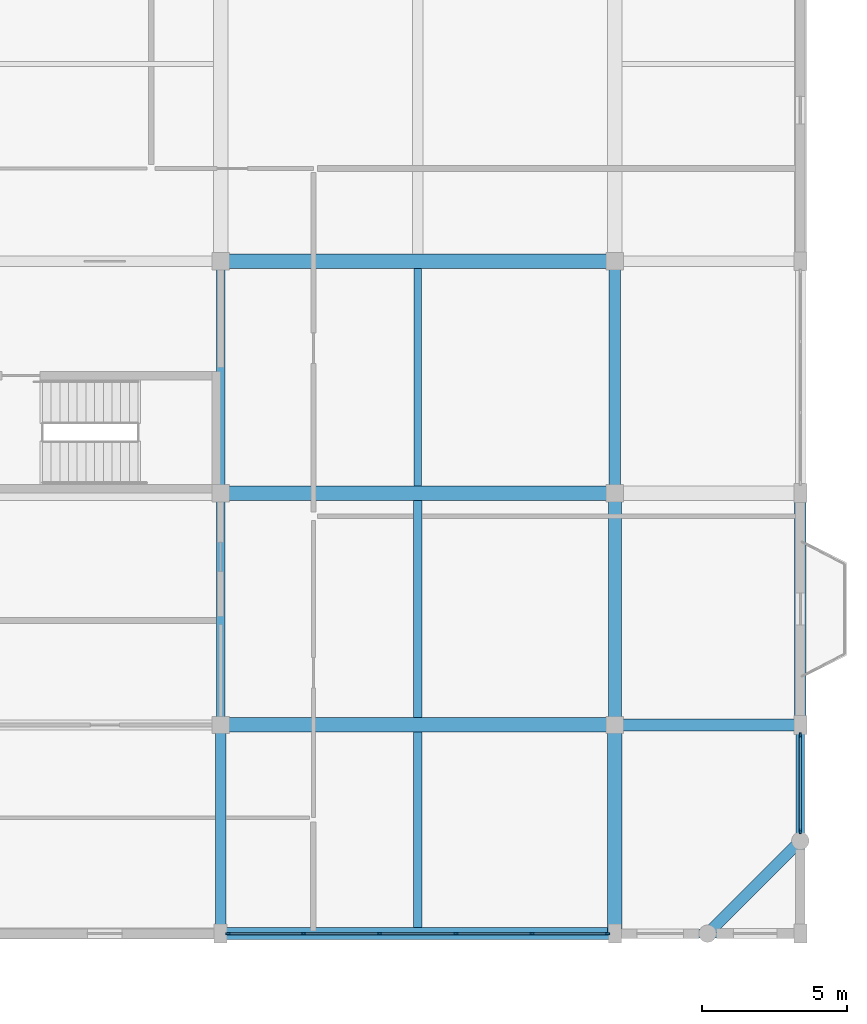
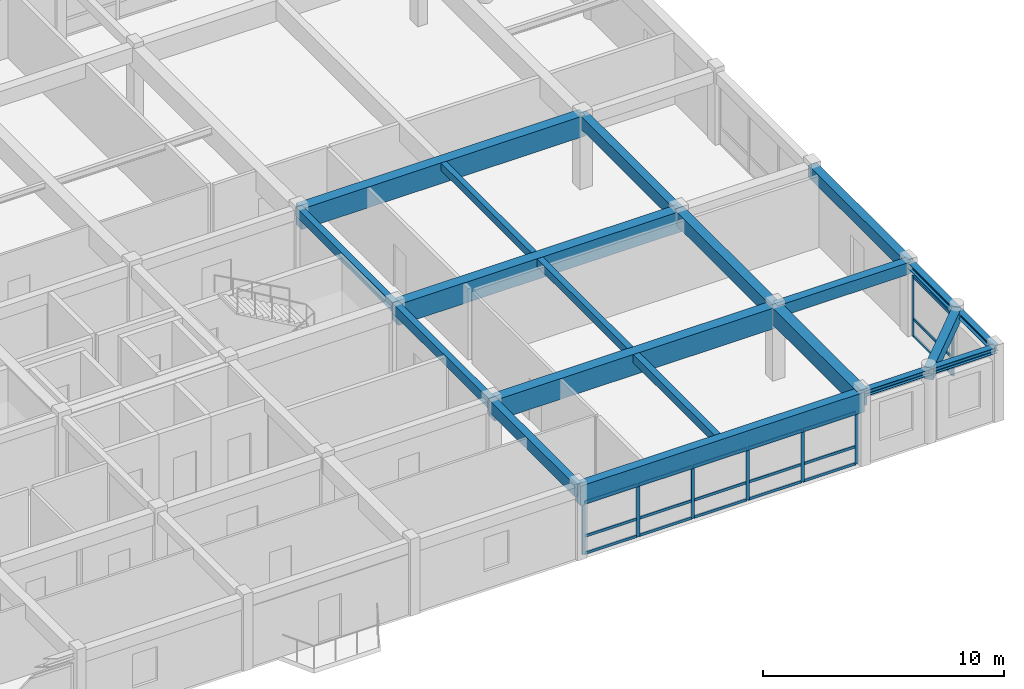
# One storey, part 5 of 13: 26 members, 18 beams, 2 elements without a shape of their own.
"""IFC4 building model written with IfcOpenShell, lengths in metres."""

from ifc_helpers import new_model, si_unit, direction, frame, origin, origin_2d, place, context, subcontext, project, spatial, rectangle, i_section, extrude, material, material_profile, profile_set, type_object, element, aggregate, save


model = new_model("IFC4")

# Units and contexts
model_context = context("Model", 3, precision=1e-05, world=origin(), true_north=direction((0.0, 1.0)))
body_context = subcontext(model_context, "Body", "Model", "MODEL_VIEW")
ifc_project = project(units=[si_unit("LENGTHUNIT", "METRE"), si_unit("AREAUNIT", "SQUARE_METRE"), si_unit("VOLUMEUNIT", "CUBIC_METRE"), si_unit("PLANEANGLEUNIT", "RADIAN"), si_unit("MASSUNIT", "GRAM", prefix="KILO")], contexts=[model_context])

# Site, building, storey
site_placement = place(None, origin())
site = spatial("IfcSite", under=ifc_project, at=site_placement, CompositionType="ELEMENT")
building_placement = place(site_placement, origin())
building = spatial("IfcBuilding", under=site, at=building_placement, Name="Vellmiral Cinema and Media Centre", CompositionType="ELEMENT")
storey_placement = place(building_placement, frame((0.0, 0.0, 54.800048828125)))
storey = spatial("IfcBuildingStorey", under=building, at=storey_placement, Name="L13", CompositionType="ELEMENT", Elevation=54.800048828125)

# Beams
ifc_material_1 = material(Name="Concrete C40/50", Category="concrete")
ifc_material_profile_1 = material_profile(ifc_material_1, rectangle(XDim=0.300048828125, YDim=0.449951171875, at=origin_2d()), Name="RC 300x450")
ifc_profile_set_1 = profile_set([ifc_material_profile_1], Name="Concrete C40/50")
beam_type_1 = type_object("IfcBeamType", Name="BM-RC-300x450", PredefinedType="BEAM", material=ifc_profile_set_1)
beam_1_placement = place(storey_placement, frame((148.0, 87.199951171875, 3.429931640625), z_axis=(0.0, 1.0, 0.0), x_axis=(-1.0, 0.0, 0.0)))
element("IfcBeam", 1, at=beam_1_placement, inside=storey, type_object=beam_type_1, Name="Grid Beam L13-Y058", PredefinedType="BEAM", context=body_context, shape_type="SweptSolid", body=[
    extrude(rectangle(XDim=0.300048828125, YDim=0.449951171875, at=origin_2d()), origin(), (0.0, 0.0, 1.0), 8.0),
])
ifc_material_2 = material(Name="Concrete C40/50", Category="concrete")
ifc_material_profile_2 = material_profile(ifc_material_2, rectangle(XDim=0.300048828125, YDim=0.5, at=origin_2d()), Name="RC 300x500")
ifc_profile_set_2 = profile_set([ifc_material_profile_2], Name="Concrete C40/50")
beam_type_2 = type_object("IfcBeamType", Name="BM-RC-300x500", PredefinedType="BEAM", material=ifc_profile_set_2)
beam_2_placement = place(storey_placement, frame((148.0, 79.199951171875, 3.405029296875), z_axis=(0.0, 1.0, 0.0), x_axis=(-1.0, 0.0, 0.0)))
element("IfcBeam", 2, at=beam_2_placement, inside=storey, type_object=beam_type_2, Name="Grid Beam L13-Y057", PredefinedType="BEAM", context=body_context, shape_type="SweptSolid", body=[
    extrude(rectangle(XDim=0.300048828125, YDim=0.5, at=origin_2d()), origin(), (0.0, 0.0, 1.0), 8.0),
])
ifc_material_3 = material(Name="Concrete C40/50", Category="concrete")
ifc_material_profile_3 = material_profile(ifc_material_3, rectangle(XDim=0.35009765625, YDim=0.60009765625, at=origin_2d()), Name="RC 350x600")
ifc_profile_set_3 = profile_set([ifc_material_profile_3], Name="Concrete C40/50")
beam_type_3 = type_object("IfcBeamType", Name="BM-RC-350x600", PredefinedType="BEAM", material=ifc_profile_set_3)
beam_3_placement = place(storey_placement, frame((148.0, 72.0, 3.35498046875), z_axis=(0.0, 1.0, 0.0), x_axis=(-1.0, 0.0, 0.0)))
element("IfcBeam", 3, at=beam_3_placement, inside=storey, type_object=beam_type_3, Name="Grid Beam L13-Y056", PredefinedType="BEAM", context=body_context, shape_type="SweptSolid", body=[
    extrude(rectangle(XDim=0.35009765625, YDim=0.60009765625, at=origin_2d()), origin(), (0.0, 0.0, 1.0), 7.199951171875),
])
ifc_material_4 = material(Name="Concrete C40/50", Category="concrete")
ifc_material_profile_4 = material_profile(ifc_material_4, rectangle(XDim=0.39990234375, YDim=0.60009765625, at=origin_2d()), Name="RC 400x600")
ifc_profile_set_4 = profile_set([ifc_material_profile_4], Name="Concrete C40/50")
beam_type_4 = type_object("IfcBeamType", Name="BM-RC-400x600", PredefinedType="BEAM", material=ifc_profile_set_4)
beam_4_placement = place(storey_placement, frame((161.60009765625, 79.199951171875, 3.35498046875), z_axis=(1.0, 0.0, 0.0), x_axis=(0.0, 1.0, 0.0)))
element("IfcBeam", 4, at=beam_4_placement, inside=storey, type_object=beam_type_4, Name="Grid Beam L13-X012", PredefinedType="BEAM", context=body_context, shape_type="SweptSolid", body=[
    extrude(rectangle(XDim=0.39990234375, YDim=0.60009765625, at=origin_2d()), origin(), (0.0, 0.0, 1.0), 6.39990234375),
])
ifc_material_5 = material(Name="Concrete C40/50", Category="concrete")
ifc_material_profile_5 = material_profile(ifc_material_5, rectangle(XDim=0.39990234375, YDim=0.64990234375, at=origin_2d()), Name="RC 400x650")
ifc_profile_set_5 = profile_set([ifc_material_profile_5], Name="Concrete C40/50")
beam_type_5 = type_object("IfcBeamType", Name="BM-RC-400x650", PredefinedType="BEAM", material=ifc_profile_set_5)
beam_5_placement = place(storey_placement, frame((161.60009765625, 87.199951171875, 3.329833984375), z_axis=(0.0, 1.0, 0.0), x_axis=(-1.0, 0.0, 0.0)))
element("IfcBeam", 5, at=beam_5_placement, inside=storey, type_object=beam_type_5, Name="Grid Beam L13-Y063", PredefinedType="BEAM", context=body_context, shape_type="SweptSolid", body=[
    extrude(rectangle(XDim=0.39990234375, YDim=0.64990234375, at=origin_2d()), origin(), (0.0, 0.0, 1.0), 8.0),
])
ifc_material_6 = material(Name="Concrete C40/50", Category="concrete")
ifc_material_profile_6 = material_profile(ifc_material_6, rectangle(XDim=0.449951171875, YDim=0.699951171875, at=origin_2d()), Name="RC 450x700")
ifc_profile_set_6 = profile_set([ifc_material_profile_6], Name="Concrete C40/50")
beam_type_6 = type_object("IfcBeamType", Name="BM-RC-450x700", PredefinedType="BEAM", material=ifc_profile_set_6)
beam_6_placement = place(storey_placement, frame((161.60009765625, 79.199951171875, 3.304931640625), z_axis=(0.0, 1.0, 0.0), x_axis=(-1.0, 0.0, 0.0)))
element("IfcBeam", 6, at=beam_6_placement, inside=storey, type_object=beam_type_6, Name="Grid Beam L13-Y062", PredefinedType="BEAM", context=body_context, shape_type="SweptSolid", body=[
    extrude(rectangle(XDim=0.449951171875, YDim=0.699951171875, at=origin_2d()), origin(), (0.0, 0.0, 1.0), 8.0),
])
ifc_material_7 = material(Name="Concrete C40/50", Category="concrete")
ifc_material_profile_7 = material_profile(ifc_material_7, rectangle(XDim=0.5, YDim=0.85009765625, at=origin_2d()), Name="RC 500x850")
ifc_profile_set_7 = profile_set([ifc_material_profile_7], Name="Concrete C40/50")
beam_type_7 = type_object("IfcBeamType", Name="BM-RC-500x850", PredefinedType="BEAM", material=ifc_profile_set_7)
beam_7_placement = place(storey_placement, frame((161.60009765625, 72.0, 3.22998046875), z_axis=(0.0, 1.0, 0.0), x_axis=(-1.0, 0.0, 0.0)))
element("IfcBeam", 7, at=beam_7_placement, inside=storey, type_object=beam_type_7, Name="Grid Beam L13-Y061", PredefinedType="BEAM", context=body_context, shape_type="SweptSolid", body=[
    extrude(rectangle(XDim=0.5, YDim=0.85009765625, at=origin_2d()), origin(), (0.0, 0.0, 1.0), 7.199951171875),
])
ifc_material_8 = material(Name="Concrete C40/50", Category="concrete")
ifc_material_profile_8 = material_profile(ifc_material_8, rectangle(XDim=0.5, YDim=1.050048828125, at=origin_2d()), Name="RC 500x1050")
ifc_profile_set_8 = profile_set([ifc_material_profile_8], Name="Concrete C40/50")
beam_type_8 = type_object("IfcBeamType", Name="BM-RCG-500x1050", PredefinedType="BEAM", material=ifc_profile_set_8)
for number, where, z_axis, x_axis, name in (
    (8, (148.0, 79.199951171875, 3.1298828125), (1.0, 0.0, 0.0), (0.0, 1.0, 0.0), "Grid Beam L13-X011"),
    (9, (148.0, 87.199951171875, 3.1298828125), (1.0, 0.0, 0.0), (0.0, 1.0, 0.0), "Grid Beam L13-X017"),
    (10, (148.0, 95.199951171875, 3.1298828125), (1.0, 0.0, 0.0), (0.0, 1.0, 0.0), "Grid Beam L13-X023"),
):
    element("IfcBeam", number, at=place(storey_placement, frame(where, z_axis=z_axis, x_axis=x_axis)), inside=storey, type_object=beam_type_8, Name=name, PredefinedType="BEAM", context=body_context, shape_type="SweptSolid", body=[
        extrude(rectangle(XDim=0.5, YDim=1.050048828125, at=origin_2d()), origin(), (0.0, 0.0, 1.0), 13.60009765625),
    ])

# Curtain wall, members
ifc_material_9 = material(Name="Thermally Broken Aluminium and Triple Glazing", Category="aluminium")
curtain_wall_type = type_object("IfcCurtainWallType", Name="CW-TOWER-MID-E", PredefinedType="USERDEFINED", material=ifc_material_9)
curtain_wall_1_placement = place(storey_placement, origin())
curtain_wall_1 = element("IfcCurtainWall", 11, at=curtain_wall_1_placement, inside=storey, type_object=curtain_wall_type, Name="Curtain Wall L13-B006", ObjectType="UNITISED CURTAIN WALL", PredefinedType="USERDEFINED")
ifc_material_10 = material(Name="Thermally Broken Anodised Aluminium", Category="aluminium")
ifc_material_profile_9 = material_profile(ifc_material_10, rectangle(XDim=0.06494140625, YDim=0.159912109375, at=origin_2d()), Name="MULL 65x160")
ifc_profile_set_9 = profile_set([ifc_material_profile_9], Name="Thermally Broken Anodised Aluminium")
member_type_1 = type_object("IfcMemberType", Name="CWM-65x160", PredefinedType="MULLION", material=ifc_profile_set_9)
member_1_placement = place(storey_placement, frame((148.257568359375, 72.0, 0.0), z_axis=(0.0, 0.0, 1.0), x_axis=(0.0, 1.0, 0.0)))
member_1 = element("IfcMember", 12, at=member_1_placement, type_object=member_type_1, Name="CW-07 mullion 1", PredefinedType="MULLION", context=body_context, shape_type="SweptSolid", body=[
    extrude(rectangle(XDim=0.06494140625, YDim=0.159912109375, at=origin_2d()), origin(), (0.0, 0.0, 1.0), 2.64501953125),
])
member_2_placement = place(storey_placement, frame((150.85498046875, 72.0, 0.0), z_axis=(0.0, 0.0, 1.0), x_axis=(0.0, 1.0, 0.0)))
member_2 = element("IfcMember", 13, at=member_2_placement, type_object=member_type_1, Name="CW-07 mullion 2", PredefinedType="MULLION", context=body_context, shape_type="SweptSolid", body=[
    extrude(rectangle(XDim=0.06494140625, YDim=0.159912109375, at=origin_2d()), origin(), (0.0, 0.0, 1.0), 2.64501953125),
])
member_3_placement = place(storey_placement, frame((153.485107421875, 72.0, 0.0), z_axis=(0.0, 0.0, 1.0), x_axis=(0.0, 1.0, 0.0)))
member_3 = element("IfcMember", 14, at=member_3_placement, type_object=member_type_1, Name="CW-07 mullion 3", PredefinedType="MULLION", context=body_context, shape_type="SweptSolid", body=[
    extrude(rectangle(XDim=0.06494140625, YDim=0.159912109375, at=origin_2d()), origin(), (0.0, 0.0, 1.0), 2.64501953125),
])
member_4_placement = place(storey_placement, frame((156.114990234375, 72.0, 0.0), z_axis=(0.0, 0.0, 1.0), x_axis=(0.0, 1.0, 0.0)))
member_4 = element("IfcMember", 15, at=member_4_placement, type_object=member_type_1, Name="CW-07 mullion 4", PredefinedType="MULLION", context=body_context, shape_type="SweptSolid", body=[
    extrude(rectangle(XDim=0.06494140625, YDim=0.159912109375, at=origin_2d()), origin(), (0.0, 0.0, 1.0), 2.64501953125),
])
member_5_placement = place(storey_placement, frame((158.7451171875, 72.0, 0.0), z_axis=(0.0, 0.0, 1.0), x_axis=(0.0, 1.0, 0.0)))
member_5 = element("IfcMember", 16, at=member_5_placement, type_object=member_type_1, Name="CW-07 mullion 5", PredefinedType="MULLION", context=body_context, shape_type="SweptSolid", body=[
    extrude(rectangle(XDim=0.06494140625, YDim=0.159912109375, at=origin_2d()), origin(), (0.0, 0.0, 1.0), 2.64501953125),
])
member_6_placement = place(storey_placement, frame((161.342529296875, 72.0, 0.0), z_axis=(0.0, 0.0, 1.0), x_axis=(0.0, 1.0, 0.0)))
member_6 = element("IfcMember", 17, at=member_6_placement, type_object=member_type_1, Name="CW-07 mullion 6", PredefinedType="MULLION", context=body_context, shape_type="SweptSolid", body=[
    extrude(rectangle(XDim=0.06494140625, YDim=0.159912109375, at=origin_2d()), origin(), (0.0, 0.0, 1.0), 2.64501953125),
])

curtain_wall_2_placement = place(storey_placement, origin())
curtain_wall_2 = element("IfcCurtainWall", 18, at=curtain_wall_2_placement, inside=storey, type_object=curtain_wall_type, Name="Curtain Wall L13-B010", ObjectType="UNITISED CURTAIN WALL", PredefinedType="USERDEFINED")
member_7_placement = place(storey_placement, frame((168.0, 75.532470703125, 0.0), z_axis=(0.0, 0.0, 1.0), x_axis=(-1.0, 0.0, 0.0)))
member_7 = element("IfcMember", 19, at=member_7_placement, type_object=member_type_1, Name="CW-07 mullion 1", PredefinedType="MULLION", context=body_context, shape_type="SweptSolid", body=[
    extrude(rectangle(XDim=0.06494140625, YDim=0.159912109375, at=origin_2d()), origin(), (0.0, 0.0, 1.0), 3.06005859375),
])
member_8_placement = place(storey_placement, frame((168.0, 78.842529296875, 0.0), z_axis=(0.0, 0.0, 1.0), x_axis=(-1.0, 0.0, 0.0)))
member_8 = element("IfcMember", 20, at=member_8_placement, type_object=member_type_1, Name="CW-07 mullion 2", PredefinedType="MULLION", context=body_context, shape_type="SweptSolid", body=[
    extrude(rectangle(XDim=0.06494140625, YDim=0.159912109375, at=origin_2d()), origin(), (0.0, 0.0, 1.0), 3.06005859375),
])

# Member
ifc_material_11 = material(Name="Thermally Broken Anodised Aluminium", Category="aluminium")
ifc_material_profile_10 = material_profile(ifc_material_11, rectangle(XDim=0.06494140625, YDim=0.135009765625, at=origin_2d()), Name="MULL 65x135")
ifc_profile_set_10 = profile_set([ifc_material_profile_10], Name="Thermally Broken Anodised Aluminium")
member_type_2 = type_object("IfcMemberType", Name="CWT-65x135", PredefinedType="USERDEFINED", material=ifc_profile_set_10)
member_9_placement = place(storey_placement, frame((148.2900390625, 72.0, 0.032470703125), z_axis=(1.0, 0.0, 0.0), x_axis=(0.0, 1.0, 0.0)))
member_9 = element("IfcMember", 21, at=member_9_placement, type_object=member_type_2, Name="CW-07 transom 1.1", ObjectType="TRANSOM", PredefinedType="USERDEFINED", context=body_context, shape_type="SweptSolid", body=[
    extrude(rectangle(XDim=0.06494140625, YDim=0.135009765625, at=origin_2d()), origin(), (0.0, 0.0, 1.0), 2.532470703125),
])

member_10_placement = place(storey_placement, frame((148.2900390625, 72.0, 0.89990234375), z_axis=(1.0, 0.0, 0.0), x_axis=(0.0, 1.0, 0.0)))
member_10 = element("IfcMember", 22, at=member_10_placement, type_object=member_type_2, Name="CW-07 transom 1.2", ObjectType="TRANSOM", PredefinedType="USERDEFINED", context=body_context, shape_type="SweptSolid", body=[
    extrude(rectangle(XDim=0.06494140625, YDim=0.135009765625, at=origin_2d()), origin(), (0.0, 0.0, 1.0), 2.532470703125),
])

member_11_placement = place(storey_placement, frame((148.2900390625, 72.0, 2.612548828125), z_axis=(1.0, 0.0, 0.0), x_axis=(0.0, 1.0, 0.0)))
member_11 = element("IfcMember", 23, at=member_11_placement, type_object=member_type_2, Name="CW-07 transom 1.3", ObjectType="TRANSOM", PredefinedType="USERDEFINED", context=body_context, shape_type="SweptSolid", body=[
    extrude(rectangle(XDim=0.06494140625, YDim=0.135009765625, at=origin_2d()), origin(), (0.0, 0.0, 1.0), 2.532470703125),
])

member_12_placement = place(storey_placement, frame((150.887451171875, 72.0, 0.032470703125), z_axis=(1.0, 0.0, 0.0), x_axis=(0.0, 1.0, 0.0)))
member_12 = element("IfcMember", 24, at=member_12_placement, type_object=member_type_2, Name="CW-07 transom 2.1", ObjectType="TRANSOM", PredefinedType="USERDEFINED", context=body_context, shape_type="SweptSolid", body=[
    extrude(rectangle(XDim=0.06494140625, YDim=0.135009765625, at=origin_2d()), origin(), (0.0, 0.0, 1.0), 2.56494140625),
])

member_13_placement = place(storey_placement, frame((150.887451171875, 72.0, 0.89990234375), z_axis=(1.0, 0.0, 0.0), x_axis=(0.0, 1.0, 0.0)))
member_13 = element("IfcMember", 25, at=member_13_placement, type_object=member_type_2, Name="CW-07 transom 2.2", ObjectType="TRANSOM", PredefinedType="USERDEFINED", context=body_context, shape_type="SweptSolid", body=[
    extrude(rectangle(XDim=0.06494140625, YDim=0.135009765625, at=origin_2d()), origin(), (0.0, 0.0, 1.0), 2.56494140625),
])

member_14_placement = place(storey_placement, frame((150.887451171875, 72.0, 2.612548828125), z_axis=(1.0, 0.0, 0.0), x_axis=(0.0, 1.0, 0.0)))
member_14 = element("IfcMember", 26, at=member_14_placement, type_object=member_type_2, Name="CW-07 transom 2.3", ObjectType="TRANSOM", PredefinedType="USERDEFINED", context=body_context, shape_type="SweptSolid", body=[
    extrude(rectangle(XDim=0.06494140625, YDim=0.135009765625, at=origin_2d()), origin(), (0.0, 0.0, 1.0), 2.56494140625),
])

member_15_placement = place(storey_placement, frame((153.517578125, 72.0, 0.032470703125), z_axis=(1.0, 0.0, 0.0), x_axis=(0.0, 1.0, 0.0)))
member_15 = element("IfcMember", 27, at=member_15_placement, type_object=member_type_2, Name="CW-07 transom 3.1", ObjectType="TRANSOM", PredefinedType="USERDEFINED", context=body_context, shape_type="SweptSolid", body=[
    extrude(rectangle(XDim=0.06494140625, YDim=0.135009765625, at=origin_2d()), origin(), (0.0, 0.0, 1.0), 2.56494140625),
])

member_16_placement = place(storey_placement, frame((153.517578125, 72.0, 0.89990234375), z_axis=(1.0, 0.0, 0.0), x_axis=(0.0, 1.0, 0.0)))
member_16 = element("IfcMember", 28, at=member_16_placement, type_object=member_type_2, Name="CW-07 transom 3.2", ObjectType="TRANSOM", PredefinedType="USERDEFINED", context=body_context, shape_type="SweptSolid", body=[
    extrude(rectangle(XDim=0.06494140625, YDim=0.135009765625, at=origin_2d()), origin(), (0.0, 0.0, 1.0), 2.56494140625),
])

member_17_placement = place(storey_placement, frame((153.517578125, 72.0, 2.612548828125), z_axis=(1.0, 0.0, 0.0), x_axis=(0.0, 1.0, 0.0)))
member_17 = element("IfcMember", 29, at=member_17_placement, type_object=member_type_2, Name="CW-07 transom 3.3", ObjectType="TRANSOM", PredefinedType="USERDEFINED", context=body_context, shape_type="SweptSolid", body=[
    extrude(rectangle(XDim=0.06494140625, YDim=0.135009765625, at=origin_2d()), origin(), (0.0, 0.0, 1.0), 2.56494140625),
])

member_18_placement = place(storey_placement, frame((156.1474609375, 72.0, 0.032470703125), z_axis=(1.0, 0.0, 0.0), x_axis=(0.0, 1.0, 0.0)))
member_18 = element("IfcMember", 30, at=member_18_placement, type_object=member_type_2, Name="CW-07 transom 4.1", ObjectType="TRANSOM", PredefinedType="USERDEFINED", context=body_context, shape_type="SweptSolid", body=[
    extrude(rectangle(XDim=0.06494140625, YDim=0.135009765625, at=origin_2d()), origin(), (0.0, 0.0, 1.0), 2.56494140625),
])

member_19_placement = place(storey_placement, frame((156.1474609375, 72.0, 0.89990234375), z_axis=(1.0, 0.0, 0.0), x_axis=(0.0, 1.0, 0.0)))
member_19 = element("IfcMember", 31, at=member_19_placement, type_object=member_type_2, Name="CW-07 transom 4.2", ObjectType="TRANSOM", PredefinedType="USERDEFINED", context=body_context, shape_type="SweptSolid", body=[
    extrude(rectangle(XDim=0.06494140625, YDim=0.135009765625, at=origin_2d()), origin(), (0.0, 0.0, 1.0), 2.56494140625),
])

member_20_placement = place(storey_placement, frame((156.1474609375, 72.0, 2.612548828125), z_axis=(1.0, 0.0, 0.0), x_axis=(0.0, 1.0, 0.0)))
member_20 = element("IfcMember", 32, at=member_20_placement, type_object=member_type_2, Name="CW-07 transom 4.3", ObjectType="TRANSOM", PredefinedType="USERDEFINED", context=body_context, shape_type="SweptSolid", body=[
    extrude(rectangle(XDim=0.06494140625, YDim=0.135009765625, at=origin_2d()), origin(), (0.0, 0.0, 1.0), 2.56494140625),
])

member_21_placement = place(storey_placement, frame((158.777587890625, 72.0, 0.032470703125), z_axis=(1.0, 0.0, 0.0), x_axis=(0.0, 1.0, 0.0)))
member_21 = element("IfcMember", 33, at=member_21_placement, type_object=member_type_2, Name="CW-07 transom 5.1", ObjectType="TRANSOM", PredefinedType="USERDEFINED", context=body_context, shape_type="SweptSolid", body=[
    extrude(rectangle(XDim=0.06494140625, YDim=0.135009765625, at=origin_2d()), origin(), (0.0, 0.0, 1.0), 2.532470703125),
])

member_22_placement = place(storey_placement, frame((158.777587890625, 72.0, 0.89990234375), z_axis=(1.0, 0.0, 0.0), x_axis=(0.0, 1.0, 0.0)))
member_22 = element("IfcMember", 34, at=member_22_placement, type_object=member_type_2, Name="CW-07 transom 5.2", ObjectType="TRANSOM", PredefinedType="USERDEFINED", context=body_context, shape_type="SweptSolid", body=[
    extrude(rectangle(XDim=0.06494140625, YDim=0.135009765625, at=origin_2d()), origin(), (0.0, 0.0, 1.0), 2.532470703125),
])

member_23_placement = place(storey_placement, frame((158.777587890625, 72.0, 2.612548828125), z_axis=(1.0, 0.0, 0.0), x_axis=(0.0, 1.0, 0.0)))
member_23 = element("IfcMember", 35, at=member_23_placement, type_object=member_type_2, Name="CW-07 transom 5.3", ObjectType="TRANSOM", PredefinedType="USERDEFINED", context=body_context, shape_type="SweptSolid", body=[
    extrude(rectangle(XDim=0.06494140625, YDim=0.135009765625, at=origin_2d()), origin(), (0.0, 0.0, 1.0), 2.532470703125),
])

aggregate(curtain_wall_1, [member_1, member_2, member_3, member_4, member_5, member_6, member_9, member_10, member_11, member_12, member_13, member_14, member_15, member_16, member_17, member_18, member_19, member_20, member_21, member_22, member_23])

member_24_placement = place(storey_placement, frame((168.0, 75.56494140625, 0.032470703125), z_axis=(0.0, 1.0, 0.0), x_axis=(-1.0, 0.0, 0.0)))
member_24 = element("IfcMember", 36, at=member_24_placement, type_object=member_type_2, Name="CW-07 transom 1.1", ObjectType="TRANSOM", PredefinedType="USERDEFINED", context=body_context, shape_type="SweptSolid", body=[
    extrude(rectangle(XDim=0.06494140625, YDim=0.135009765625, at=origin_2d()), origin(), (0.0, 0.0, 1.0), 3.2451171875),
])

member_25_placement = place(storey_placement, frame((168.0, 75.56494140625, 0.89990234375), z_axis=(0.0, 1.0, 0.0), x_axis=(-1.0, 0.0, 0.0)))
member_25 = element("IfcMember", 37, at=member_25_placement, type_object=member_type_2, Name="CW-07 transom 1.2", ObjectType="TRANSOM", PredefinedType="USERDEFINED", context=body_context, shape_type="SweptSolid", body=[
    extrude(rectangle(XDim=0.06494140625, YDim=0.135009765625, at=origin_2d()), origin(), (0.0, 0.0, 1.0), 3.2451171875),
])

member_26_placement = place(storey_placement, frame((168.0, 75.56494140625, 3.02734375), z_axis=(0.0, 1.0, 0.0), x_axis=(-1.0, 0.0, 0.0)))
member_26 = element("IfcMember", 38, at=member_26_placement, type_object=member_type_2, Name="CW-07 transom 1.3", ObjectType="TRANSOM", PredefinedType="USERDEFINED", context=body_context, shape_type="SweptSolid", body=[
    extrude(rectangle(XDim=0.06494140625, YDim=0.135009765625, at=origin_2d()), origin(), (0.0, 0.0, 1.0), 3.2451171875),
])

aggregate(curtain_wall_2, [member_7, member_8, member_24, member_25, member_26])

# Beams
ifc_material_12 = material(Name="Concrete C40/50", Category="concrete")
ifc_material_profile_11 = material_profile(ifc_material_12, rectangle(XDim=0.260009765625, YDim=0.3798828125, at=origin_2d()), Name="RC 260x380")
ifc_profile_set_11 = profile_set([ifc_material_profile_11], Name="Concrete C40/50")
beam_type_9 = type_object("IfcBeamType", Name="JST-RC-260x380", PredefinedType="JOIST", material=ifc_profile_set_11)
beam_8_placement = place(storey_placement, frame((154.800048828125, 87.449951171875, 3.46484375), z_axis=(0.0, 1.0, 0.0), x_axis=(-1.0, 0.0, 0.0)))
element("IfcBeam", 39, at=beam_8_placement, inside=storey, type_object=beam_type_9, Name="Secondary Floor Joist L13-007", PredefinedType="JOIST", context=body_context, shape_type="SweptSolid", body=[
    extrude(rectangle(XDim=0.260009765625, YDim=0.3798828125, at=origin_2d()), origin(), (0.0, 0.0, 1.0), 7.5),
])
ifc_material_13 = material(Name="Concrete C40/50", Category="concrete")
ifc_material_profile_12 = material_profile(ifc_material_13, rectangle(XDim=0.280029296875, YDim=0.39990234375, at=origin_2d()), Name="RC 280x400")
ifc_profile_set_12 = profile_set([ifc_material_profile_12], Name="Concrete C40/50")
beam_type_10 = type_object("IfcBeamType", Name="JST-RC-280x400", PredefinedType="JOIST", material=ifc_profile_set_12)
beam_9_placement = place(storey_placement, frame((154.800048828125, 79.449951171875, 3.454833984375), z_axis=(0.0, 1.0, 0.0), x_axis=(-1.0, 0.0, 0.0)))
element("IfcBeam", 40, at=beam_9_placement, inside=storey, type_object=beam_type_10, Name="Secondary Floor Joist L13-006", PredefinedType="JOIST", context=body_context, shape_type="SweptSolid", body=[
    extrude(rectangle(XDim=0.280029296875, YDim=0.39990234375, at=origin_2d()), origin(), (0.0, 0.0, 1.0), 7.5),
])
ifc_material_14 = material(Name="Concrete C40/50", Category="concrete")
ifc_material_profile_13 = material_profile(ifc_material_14, rectangle(XDim=0.300048828125, YDim=0.419921875, at=origin_2d()), Name="RC 300x420")
ifc_profile_set_13 = profile_set([ifc_material_profile_13], Name="Concrete C40/50")
beam_type_11 = type_object("IfcBeamType", Name="JST-RC-300x420", PredefinedType="JOIST", material=ifc_profile_set_13)
beam_10_placement = place(storey_placement, frame((154.800048828125, 72.2099609375, 3.445068359375), z_axis=(0.0, 1.0, 0.0), x_axis=(-1.0, 0.0, 0.0)))
element("IfcBeam", 41, at=beam_10_placement, inside=storey, type_object=beam_type_11, Name="Secondary Floor Joist L13-005", PredefinedType="JOIST", context=body_context, shape_type="SweptSolid", body=[
    extrude(rectangle(XDim=0.300048828125, YDim=0.419921875, at=origin_2d()), origin(), (0.0, 0.0, 1.0), 6.739990234375),
])
ifc_material_15 = material(Name="Steel S355", Category="steel")
ifc_material_profile_14 = material_profile(ifc_material_15, i_section(OverallWidth=0.300048828125, OverallDepth=0.300048828125, WebThickness=0.010986328125, FlangeThickness=0.01904296875, FilletRadius=0.027099609375, at=origin_2d()), Name="HEB 300")
ifc_profile_set_14 = profile_set([ifc_material_profile_14], Name="Steel S355")
beam_type_12 = type_object("IfcBeamType", Name="SBM-HEB300", PredefinedType="SPANDREL", material=ifc_profile_set_14)
beam_11_placement = place(storey_placement, frame((161.60009765625, 72.0, 3.5048828125), z_axis=(1.0, 0.0, 0.0), x_axis=(0.0, 1.0, 0.0)))
element("IfcBeam", 42, at=beam_11_placement, inside=storey, type_object=beam_type_12, Name="Grid Beam L13-X006", PredefinedType="SPANDREL", context=body_context, shape_type="SweptSolid", body=[
    extrude(i_section(OverallWidth=0.300048828125, OverallDepth=0.300048828125, WebThickness=0.010986328125, FlangeThickness=0.01904296875, FilletRadius=0.027099609375, at=origin_2d()), origin(), (0.0, 0.0, 1.0), 6.39990234375),
])
beam_12_placement = place(storey_placement, frame((168.0, 72.0, 3.5048828125), z_axis=(0.0, 1.0, 0.0), x_axis=(-1.0, 0.0, 0.0)))
element("IfcBeam", 43, at=beam_12_placement, inside=storey, type_object=beam_type_12, Name="Grid Beam L13-Y066", PredefinedType="SPANDREL", context=body_context, shape_type="SweptSolid", body=[
    extrude(i_section(OverallWidth=0.300048828125, OverallDepth=0.300048828125, WebThickness=0.010986328125, FlangeThickness=0.01904296875, FilletRadius=0.027099609375, at=origin_2d()), origin(), (0.0, 0.0, 1.0), 7.199951171875),
])
ifc_material_16 = material(Name="Concrete C40/50", Category="concrete")
ifc_material_profile_15 = material_profile(ifc_material_16, rectangle(XDim=0.39990234375, YDim=0.60009765625, at=origin_2d()), Name="RC 400x600")
ifc_profile_set_15 = profile_set([ifc_material_profile_15], Name="Concrete C40/50")
beam_type_13 = type_object("IfcBeamType", Name="SPD-RC-400x600", PredefinedType="SPANDREL", material=ifc_profile_set_15)
beam_13_placement = place(storey_placement, frame((168.0, 79.199951171875, 3.35498046875), z_axis=(0.0, 1.0, 0.0), x_axis=(-1.0, 0.0, 0.0)))
element("IfcBeam", 44, at=beam_13_placement, inside=storey, type_object=beam_type_13, Name="Grid Beam L13-Y067", PredefinedType="SPANDREL", context=body_context, shape_type="SweptSolid", body=[
    extrude(rectangle(XDim=0.39990234375, YDim=0.60009765625, at=origin_2d()), origin(), (0.0, 0.0, 1.0), 8.0),
])
beam_14_placement = place(storey_placement, frame((164.800048828125, 72.0, 3.35498046875), z_axis=(0.707106781187, 0.707106781187, 0.0), x_axis=(-0.707106781187, 0.707106781187, 0.0)))
element("IfcBeam", 45, at=beam_14_placement, inside=storey, type_object=beam_type_13, Name="Xamfra Chamfer Spandrel Beam L13-072", PredefinedType="SPANDREL", context=body_context, shape_type="SweptSolid", body=[
    extrude(rectangle(XDim=0.39990234375, YDim=0.60009765625, at=origin_2d()), origin(), (0.0, 0.0, 1.0), 4.525390625),
])
ifc_material_17 = material(Name="Vosges Red Sandstone Masonry", Category="masonry")
ifc_material_profile_16 = material_profile(ifc_material_17, rectangle(XDim=0.419921875, YDim=1.0, at=origin_2d()), Name="SAND 420x1000")
ifc_profile_set_16 = profile_set([ifc_material_profile_16], Name="Vosges Red Sandstone Masonry")
beam_type_14 = type_object("IfcBeamType", Name="SPD-SANDG-420x1000", PredefinedType="SPANDREL", material=ifc_profile_set_16)
beam_15_placement = place(storey_placement, frame((148.0, 72.0, 3.155029296875), z_axis=(1.0, 0.0, 0.0), x_axis=(0.0, 1.0, 0.0)))
element("IfcBeam", 46, at=beam_15_placement, inside=storey, type_object=beam_type_14, Name="Grid Beam L13-X005", PredefinedType="SPANDREL", context=body_context, shape_type="SweptSolid", body=[
    extrude(rectangle(XDim=0.419921875, YDim=1.0, at=origin_2d()), origin(), (0.0, 0.0, 1.0), 13.60009765625),
])

save(model, "model.ifc")
